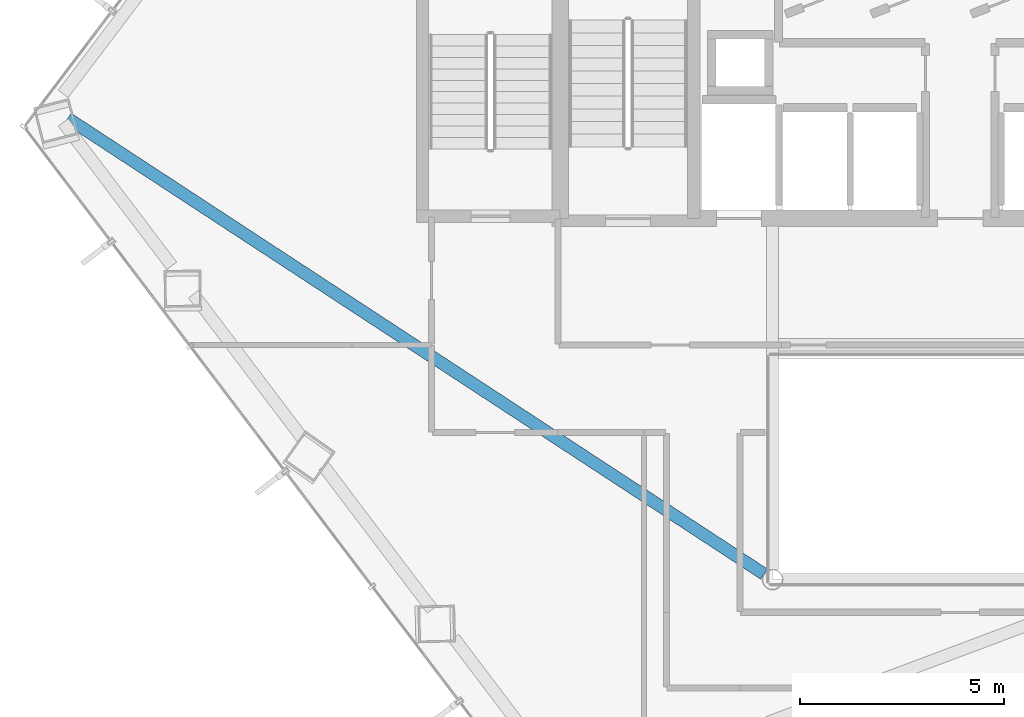
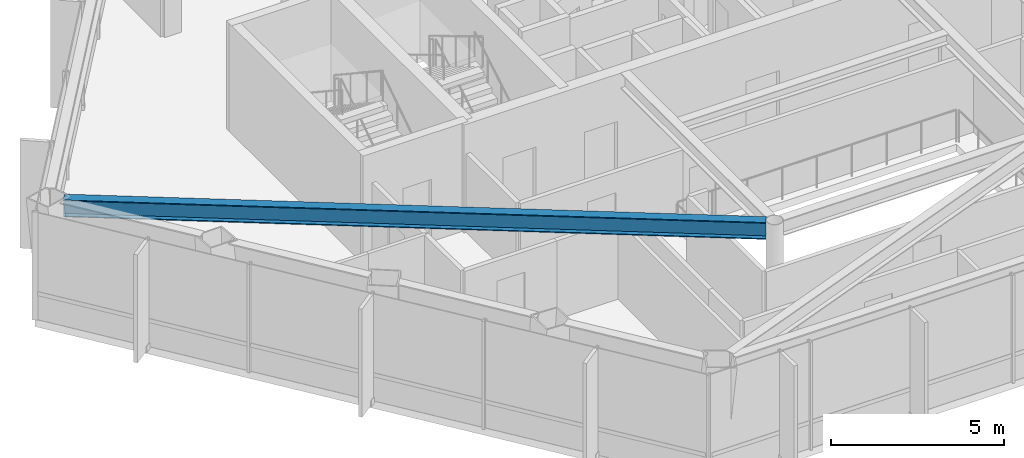
# One storey, part 5 of 27: 1 beam.
"""IFC4 building model written with IfcOpenShell, lengths in metres."""

from ifc_helpers import new_model, si_unit, direction, frame, origin, origin_2d, place, context, subcontext, project, spatial, i_section, extrude, material, material_profile, profile_set, type_object, element, save


model = new_model("IFC4")

# Units and contexts
model_context = context("Model", 3, precision=1e-05, world=origin(), true_north=direction((0.0, 1.0)))
body_context = subcontext(model_context, "Body", "Model", "MODEL_VIEW")
ifc_project = project(units=[si_unit("LENGTHUNIT", "METRE"), si_unit("AREAUNIT", "SQUARE_METRE"), si_unit("VOLUMEUNIT", "CUBIC_METRE"), si_unit("PLANEANGLEUNIT", "RADIAN"), si_unit("MASSUNIT", "GRAM", prefix="KILO")], contexts=[model_context])

# Site, building, storey
site_placement = place(None, origin())
site = spatial("IfcSite", under=ifc_project, at=site_placement, CompositionType="ELEMENT")
building_placement = place(site_placement, origin())
building = spatial("IfcBuilding", under=site, at=building_placement, Name="Zarrinselat Tower", CompositionType="ELEMENT")
storey_placement = place(building_placement, frame((0.0, 0.0, 80.580078125)))
storey = spatial("IfcBuildingStorey", under=building, at=storey_placement, Name="L19", CompositionType="ELEMENT", Elevation=80.580078125)

# Beam
ifc_material = material(Name="Steel S355J2", Category="steel")
ifc_material_profile = material_profile(ifc_material, i_section(OverallWidth=0.300048828125, OverallDepth=0.60009765625, WebThickness=0.015380859375, FlangeThickness=0.030029296875, at=origin_2d()), Name="HEB 600")
ifc_profile_set = profile_set([ifc_material_profile], Name="Steel S355J2")
beam_type = type_object("IfcBeamType", Name="BM-HEB600", PredefinedType="BEAM", material=ifc_profile_set)
beam_placement = place(storey_placement, frame((16.54150390625, 35.697998046875, 3.52001953125), z_axis=(0.83666598037, -0.547713462763, 0.0), x_axis=(0.547713462763, 0.83666598037, 0.0)))
element("IfcBeam", 1, at=beam_placement, inside=storey, type_object=beam_type, Name="L19 Radial Primary Girder RG06", PredefinedType="BEAM", context=body_context, shape_type="SweptSolid", body=[
    extrude(i_section(OverallWidth=0.300048828125, OverallDepth=0.60009765625, WebThickness=0.015380859375, FlangeThickness=0.030029296875, at=origin_2d()), origin(), (0.0, 0.0, 1.0), 20.377685546875),
])

save(model, "model.ifc")
